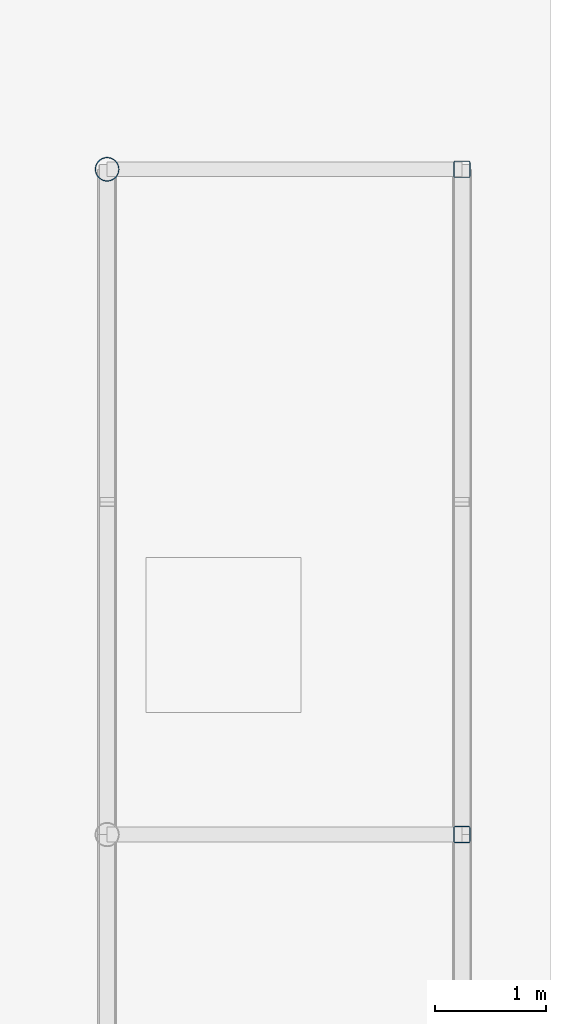
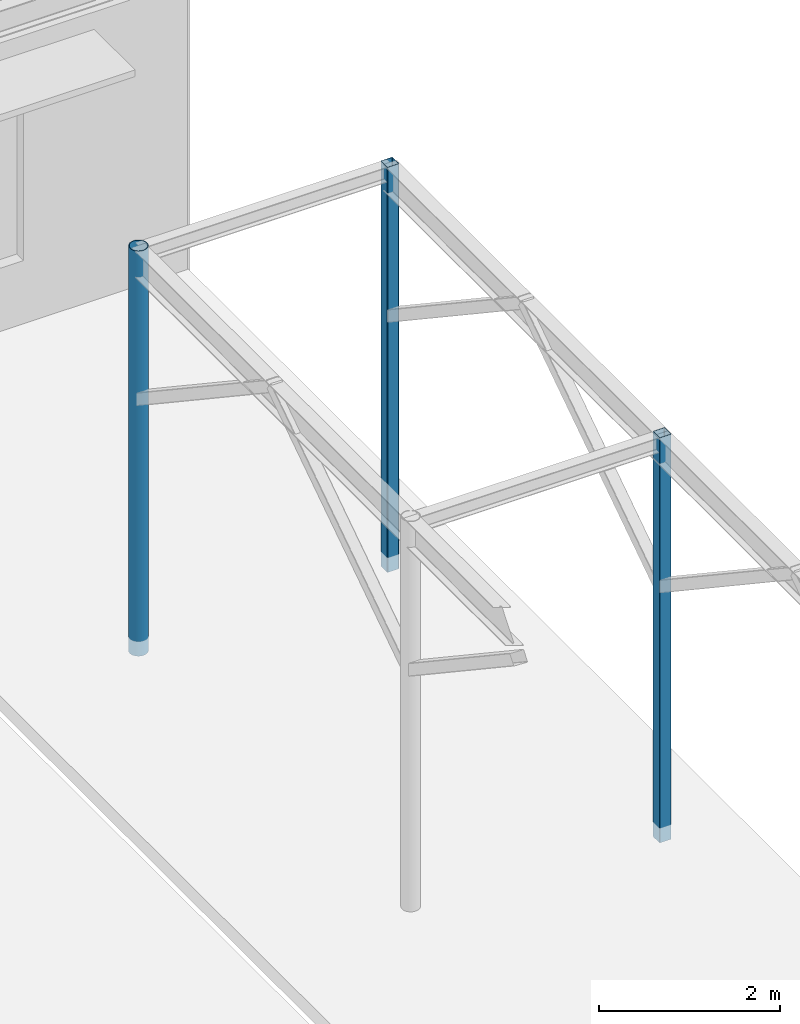
# One storey, part 37 of 119: 3 columns.
"""IFC4 building model written with IfcOpenShell, lengths in metres."""

from ifc_helpers import new_model, si_unit, derived_unit, direction, frame, origin, origin_2d_with_axis, place, context, subcontext, project, spatial, hollow_rectangle, hollow_circle, extrude, material, material_profile, profile_set, type_object, element, save


model = new_model("IFC4")

# Units and contexts
model_context = context("Model", 3, precision=1e-05, world=origin(), true_north=direction((0.0, 1.0)))
body_context = subcontext(model_context, "Body", "Model", "MODEL_VIEW")
ifc_project = project(units=[si_unit("LENGTHUNIT", "METRE"), si_unit("AREAUNIT", "SQUARE_METRE"), si_unit("VOLUMEUNIT", "CUBIC_METRE"), si_unit("PLANEANGLEUNIT", "RADIAN"), si_unit("MASSUNIT", "GRAM", prefix="KILO"), derived_unit("THERMALTRANSMITTANCEUNIT", [(si_unit("POWERUNIT", "WATT"), 1), (si_unit("LENGTHUNIT", "METRE"), -2), (si_unit("THERMODYNAMICTEMPERATUREUNIT", "KELVIN"), -1)])], contexts=[model_context])

# Site, building, storey
site_placement = place(None, origin())
site = spatial("IfcSite", under=ifc_project, at=site_placement, CompositionType="ELEMENT")
building_placement = place(site_placement, origin())
building = spatial("IfcBuilding", under=site, at=building_placement, Name="Cinnabar Yard Market Hall", CompositionType="ELEMENT")
storey_placement = place(building_placement, origin())
storey = spatial("IfcBuildingStorey", under=building, at=storey_placement, Name="L00", CompositionType="ELEMENT", Elevation=0.0)

# Columns
ifc_material_1 = material(Name="Spotted-gum glulam-clad steel Grade 350 (350 MPa)", Category="steel")
ifc_material_profile_1 = material_profile(ifc_material_1, hollow_circle(Radius=0.109619140625, WallThickness=0.00830078125, at=origin_2d_with_axis()), Name="219.1x8.2CHS")
ifc_profile_set_1 = profile_set([ifc_material_profile_1], Name="Spotted-gum glulam-clad steel Grade 350 (350 MPa)")
column_type_1 = type_object("IfcColumnType", Name="COL-C05E", PredefinedType="COLUMN", material=ifc_profile_set_1)
column_placement = place(storey_placement, frame((158.0, 102.0, -0.199951171875), z_axis=(0.0, 0.0, 1.0), x_axis=(1.0, 0.0, 0.0)))
element("IfcColumn", 1, at=column_placement, inside=storey, type_object=column_type_1, Name="Passage Colonnade Post V5E-A5", PredefinedType="COLUMN", context=body_context, shape_type="SweptSolid", body=[
    extrude(hollow_circle(Radius=0.109619140625, WallThickness=0.00830078125, at=origin_2d_with_axis()), origin(), (0.0, 0.0, 1.0), 5.449951171875),
])
ifc_material_2 = material(Name="Cold-formed steel C350L0", Category="steel")
ifc_material_profile_2 = material_profile(ifc_material_2, hollow_rectangle(XDim=0.14990234375, YDim=0.14990234375, WallThickness=0.006103515625, InnerFilletRadius=0.006103515625, OuterFilletRadius=0.011962890625, at=origin_2d_with_axis()), Name="150x150x6.0SHS")
ifc_profile_set_2 = profile_set([ifc_material_profile_2], Name="Cold-formed steel C350L0")
column_type_2 = type_object("IfcColumnType", Name="COL-C16E", PredefinedType="COLUMN", material=ifc_profile_set_2)
for number, where, z_axis, x_axis, name in (
    (2, (161.199951171875, 96.0, -0.199951171875), (0.0, 0.0, 1.0), (1.0, 0.0, 0.0), "Passage Colonnade Post V5E-B4"),
    (3, (161.199951171875, 102.0, -0.199951171875), (0.0, 0.0, 1.0), (1.0, 0.0, 0.0), "Passage Colonnade Post V5E-B5"),
):
    element("IfcColumn", number, at=place(storey_placement, frame(where, z_axis=z_axis, x_axis=x_axis)), inside=storey, type_object=column_type_2, Name=name, PredefinedType="COLUMN", context=body_context, shape_type="SweptSolid", body=[
        extrude(hollow_rectangle(XDim=0.14990234375, YDim=0.14990234375, WallThickness=0.006103515625, InnerFilletRadius=0.006103515625, OuterFilletRadius=0.011962890625, at=origin_2d_with_axis()), origin(), (0.0, 0.0, 1.0), 5.449951171875),
    ])

save(model, "model.ifc")
